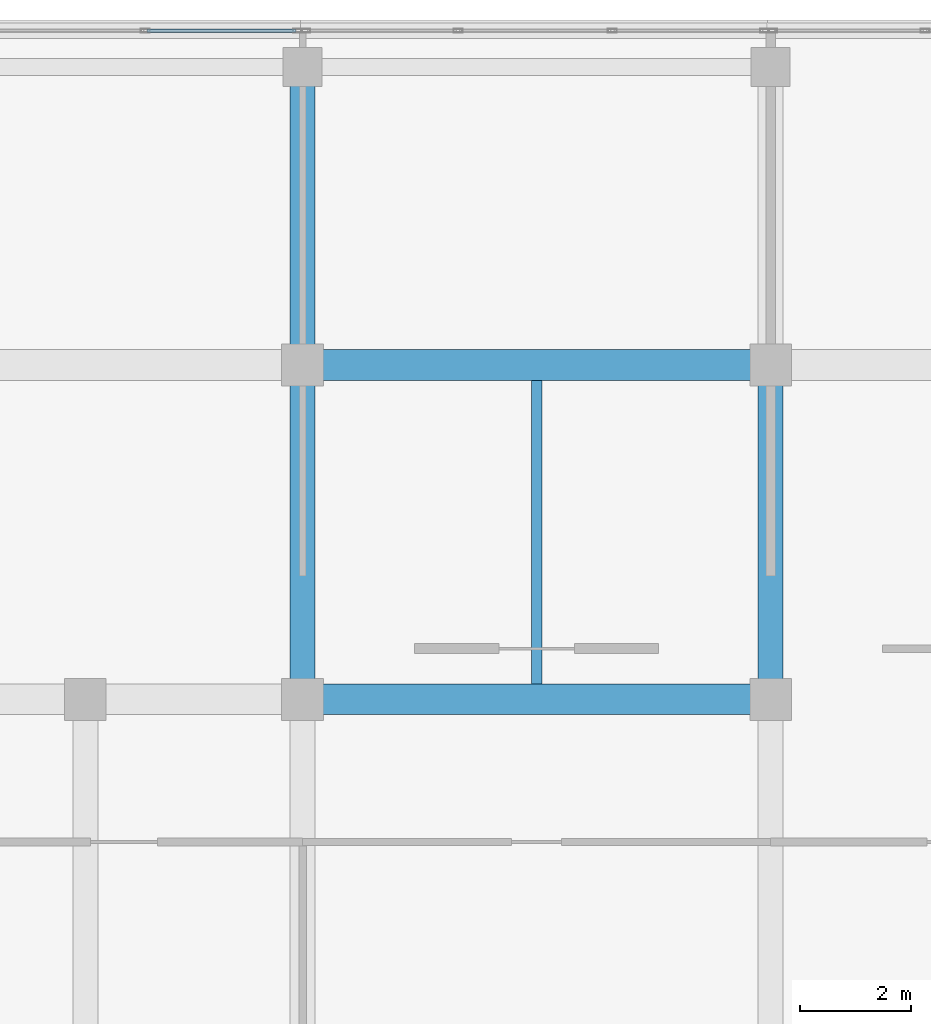
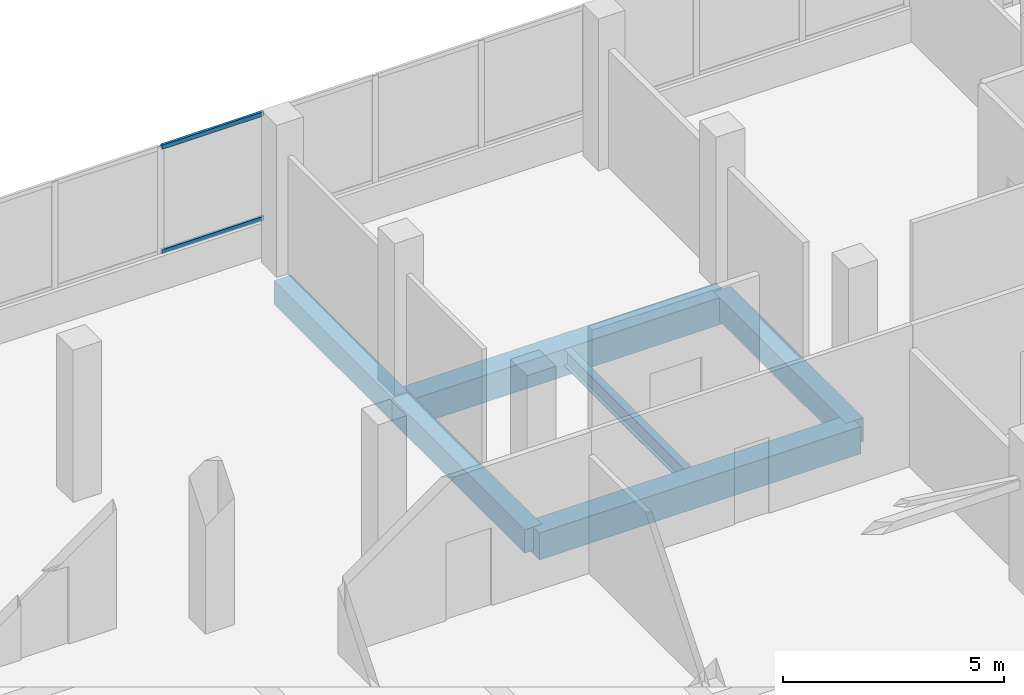
# One storey, part 94 of 184: 6 beams, 2 members, 1 element without a shape of its own.
"""IFC4 building model written with IfcOpenShell, lengths in metres."""

from ifc_helpers import new_model, si_unit, direction, frame, origin, origin_2d, place, context, subcontext, project, spatial, rectangle, hollow_rectangle, i_section, extrude, material, material_profile, profile_set, type_object, element, aggregate, save


model = new_model("IFC4")

# Units and contexts
model_context = context("Model", 3, precision=1e-05, world=origin(), true_north=direction((0.0, 1.0)))
body_context = subcontext(model_context, "Body", "Model", "MODEL_VIEW")
ifc_project = project(units=[si_unit("LENGTHUNIT", "METRE"), si_unit("AREAUNIT", "SQUARE_METRE"), si_unit("VOLUMEUNIT", "CUBIC_METRE"), si_unit("PLANEANGLEUNIT", "RADIAN"), si_unit("MASSUNIT", "GRAM", prefix="KILO")], contexts=[model_context])

# Site, building, storey
site_placement = place(None, origin())
site = spatial("IfcSite", under=ifc_project, at=site_placement, CompositionType="ELEMENT")
building_placement = place(site_placement, origin())
building = spatial("IfcBuilding", under=site, at=building_placement, Name="Selatvlak General Hospital", CompositionType="ELEMENT")
storey_placement = place(building_placement, frame((0.0, 0.0, 15.0)))
storey = spatial("IfcBuildingStorey", under=building, at=storey_placement, Name="L03", CompositionType="ELEMENT", Elevation=15.0)

# Beams
ifc_material_1 = material(Name="Concrete C40/50", Category="concrete")
ifc_material_profile_1 = material_profile(ifc_material_1, rectangle(XDim=0.550048828125, YDim=0.75, at=origin_2d()), Name="RC-BM 550x750")
ifc_profile_set_1 = profile_set([ifc_material_profile_1], Name="Concrete C40/50")
beam_type_1 = type_object("IfcBeamType", Name="BM-G02", PredefinedType="BEAM", material=ifc_profile_set_1)
for number, where, z_axis, x_axis, name in (
    (1, (31.199951171875, 108.0, -0.715087890625), (1.0, 0.0, 0.0), (0.0, 1.0, 0.0), "Beam BMR-L03-1251"),
    (2, (31.199951171875, 114.0, -0.715087890625), (1.0, 0.0, 0.0), (0.0, 1.0, 0.0), "Beam BMR-L03-1263"),
):
    element("IfcBeam", number, at=place(storey_placement, frame(where, z_axis=z_axis, x_axis=x_axis)), inside=storey, type_object=beam_type_1, Name=name, PredefinedType="BEAM", context=body_context, shape_type="SweptSolid", body=[
        extrude(rectangle(XDim=0.550048828125, YDim=0.75, at=origin_2d()), origin(), (0.0, 0.0, 1.0), 8.400146484375),
    ])
ifc_material_profile_2 = material_profile(ifc_material_1, rectangle(XDim=0.449951171875, YDim=0.64990234375, at=origin_2d()), Name="RC-BM 450x650")
ifc_profile_set_2 = profile_set([ifc_material_profile_2], Name="Concrete C40/50")
beam_type_2 = type_object("IfcBeamType", Name="BM-G04", PredefinedType="BEAM", material=ifc_profile_set_2)
beam_1_placement = place(storey_placement, frame((31.199951171875, 108.0, -0.6650390625), z_axis=(0.0, 1.0, 0.0), x_axis=(-1.0, 0.0, 0.0)))
element("IfcBeam", 3, at=beam_1_placement, inside=storey, type_object=beam_type_2, Name="Beam BMR-L03-1304", PredefinedType="BEAM", context=body_context, shape_type="SweptSolid", body=[
    extrude(rectangle(XDim=0.449951171875, YDim=0.64990234375, at=origin_2d()), origin(), (0.0, 0.0, 1.0), 6.0),
])
beam_2_placement = place(storey_placement, frame((31.199951171875, 114.0, -0.6650390625), z_axis=(0.0, 1.0, 0.0), x_axis=(-1.0, 0.0, 0.0)))
element("IfcBeam", 4, at=beam_2_placement, inside=storey, type_object=beam_type_2, Name="Beam BMR-L03-1305", PredefinedType="BEAM", context=body_context, shape_type="SweptSolid", body=[
    extrude(rectangle(XDim=0.449951171875, YDim=0.64990234375, at=origin_2d()), origin(), (0.0, 0.0, 1.0), 5.35009765625),
])
beam_3_placement = place(storey_placement, frame((39.60009765625, 108.0, -0.6650390625), z_axis=(0.0, 1.0, 0.0), x_axis=(-1.0, 0.0, 0.0)))
element("IfcBeam", 5, at=beam_3_placement, inside=storey, type_object=beam_type_2, Name="Beam BMR-L03-1309", PredefinedType="BEAM", context=body_context, shape_type="SweptSolid", body=[
    extrude(rectangle(XDim=0.449951171875, YDim=0.64990234375, at=origin_2d()), origin(), (0.0, 0.0, 1.0), 6.0),
])
ifc_material_2 = material(Name="Steel S355", Category="steel")
ifc_material_profile_3 = material_profile(ifc_material_2, i_section(OverallWidth=0.1904296875, OverallDepth=0.45703125, WebThickness=0.009033203125, FlangeThickness=0.014404296875, at=origin_2d()), Name="UB 457x191x74")
ifc_profile_set_3 = profile_set([ifc_material_profile_3], Name="Steel S355")
beam_type_3 = type_object("IfcBeamType", Name="BM-J03", PredefinedType="JOIST", material=ifc_profile_set_3)
beam_4_placement = place(storey_placement, frame((35.39990234375, 108.27490234375, -0.569091796875), z_axis=(0.0, 1.0, 0.0), x_axis=(-1.0, 0.0, 0.0)))
element("IfcBeam", 6, at=beam_4_placement, inside=storey, type_object=beam_type_3, Name="Beam BMR-L03-1441", PredefinedType="JOIST", context=body_context, shape_type="SweptSolid", body=[
    extrude(i_section(OverallWidth=0.1904296875, OverallDepth=0.45703125, WebThickness=0.009033203125, FlangeThickness=0.014404296875, at=origin_2d()), origin(), (0.0, 0.0, 1.0), 5.4501953125),
])

# Curtain wall, members
ifc_material_3 = material(Name="Solar-control Low-E double glazing", Category="glass")
curtain_wall_type = type_object("IfcCurtainWallType", Name="CW-CW-02", PredefinedType="USERDEFINED", material=ifc_material_3)
curtain_wall_placement = place(storey_placement, origin())
curtain_wall = element("IfcCurtainWall", 7, at=curtain_wall_placement, inside=storey, type_object=curtain_wall_type, Name="Glazed facade curtain wall CW-L03-0365", ObjectType="UNITISED CURTAIN WALL", PredefinedType="USERDEFINED")
ifc_material_4 = material(Name="Dark anodised aluminium mullion", Category="aluminium")
ifc_material_profile_4 = material_profile(ifc_material_4, hollow_rectangle(XDim=0.06494140625, YDim=0.1201171875, WallThickness=0.00390625, at=origin_2d()), Name="AL-TRN 65x120x4")
ifc_profile_set_4 = profile_set([ifc_material_profile_4], Name="Dark anodised aluminium mullion")
member_type = type_object("IfcMemberType", Name="CWT-01", PredefinedType="USERDEFINED", material=ifc_profile_set_4)
member_1_placement = place(storey_placement, frame((28.410888671875, 119.9990234375, 0.972412109375), z_axis=(1.0, 0.0, 0.0), x_axis=(0.0, 1.0, 0.0)))
member_1 = element("IfcMember", 8, at=member_1_placement, type_object=member_type, Name="CW-02 transom 3.1", ObjectType="TRANSOM", PredefinedType="USERDEFINED", context=body_context, shape_type="SweptSolid", body=[
    extrude(hollow_rectangle(XDim=0.06494140625, YDim=0.1201171875, WallThickness=0.00390625, at=origin_2d()), origin(), (0.0, 0.0, 1.0), 2.669189453125),
])
member_2_placement = place(storey_placement, frame((28.410888671875, 119.9990234375, 3.862548828125), z_axis=(1.0, 0.0, 0.0), x_axis=(0.0, 1.0, 0.0)))
member_2 = element("IfcMember", 9, at=member_2_placement, type_object=member_type, Name="CW-02 transom 3.2", ObjectType="TRANSOM", PredefinedType="USERDEFINED", context=body_context, shape_type="SweptSolid", body=[
    extrude(hollow_rectangle(XDim=0.06494140625, YDim=0.1201171875, WallThickness=0.00390625, at=origin_2d()), origin(), (0.0, 0.0, 1.0), 2.669189453125),
])
aggregate(curtain_wall, [member_1, member_2])

save(model, "model.ifc")
